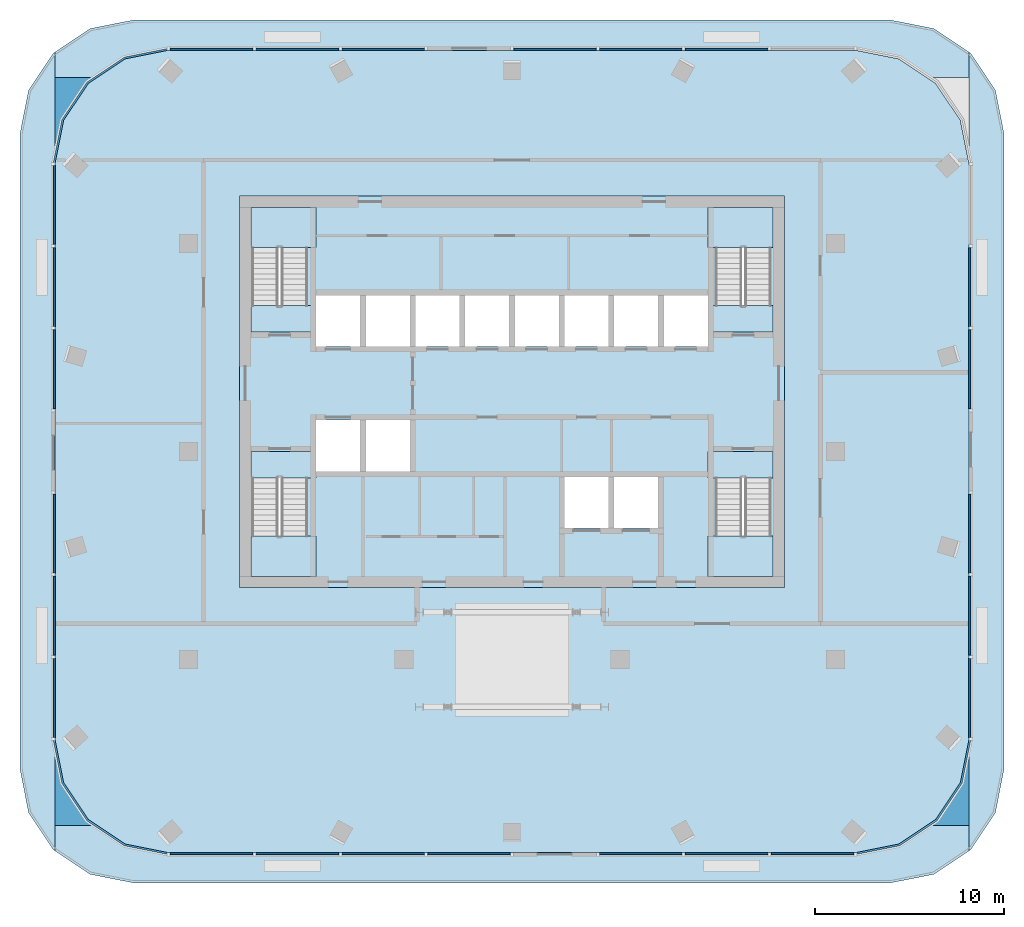
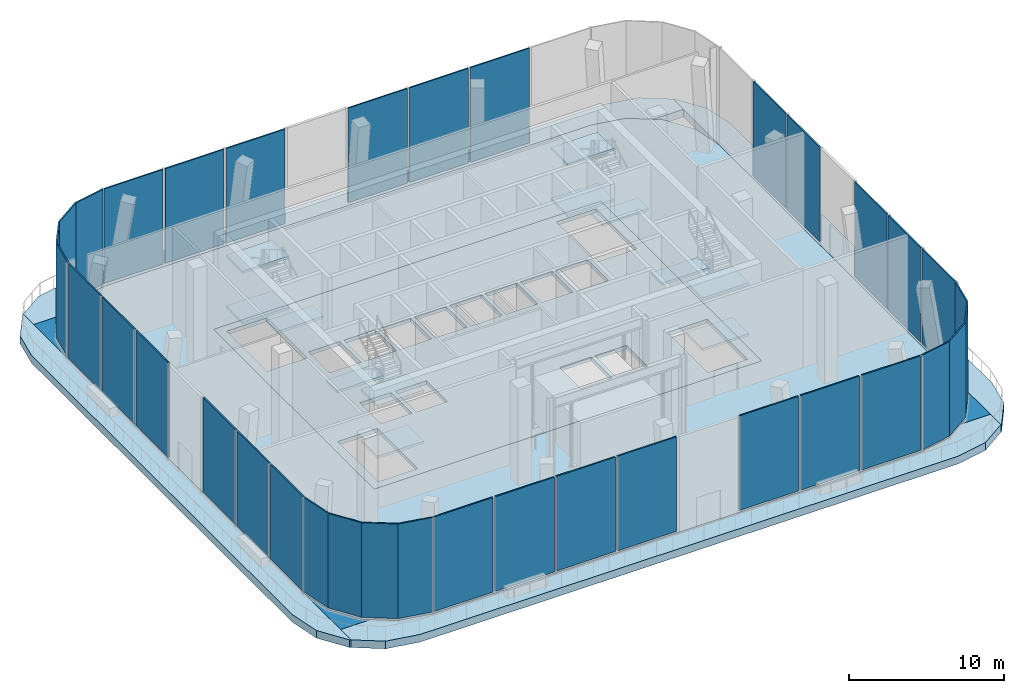
# One storey, part 5 of 13: 27 plates, 21 slabs, 15 elements without a shape of their own.
"""IFC4 building model written with IfcOpenShell, lengths in metres."""

from ifc_helpers import new_model, si_unit, direction, frame, origin, origin_2d, place, context, subcontext, project, spatial, polyline, rectangle, outline, extrude, material, layer, layer_set, type_object, element, aggregate, save


model = new_model("IFC4")

# Units and contexts
model_context = context("Model", 3, precision=1e-05, world=origin(), true_north=direction((0.0, 1.0)))
body_context = subcontext(model_context, "Body", "Model", "MODEL_VIEW")
ifc_project = project(units=[si_unit("LENGTHUNIT", "METRE"), si_unit("AREAUNIT", "SQUARE_METRE"), si_unit("VOLUMEUNIT", "CUBIC_METRE"), si_unit("PLANEANGLEUNIT", "RADIAN"), si_unit("MASSUNIT", "GRAM", prefix="KILO")], contexts=[model_context])

# Site, building, storey
site_placement = place(None, origin())
site = spatial("IfcSite", under=ifc_project, at=site_placement, CompositionType="ELEMENT")
building_placement = place(site_placement, origin())
building = spatial("IfcBuilding", under=site, at=building_placement, Name="Mopane Tessera Tower", CompositionType="ELEMENT")
storey_placement = place(building_placement, frame((0.0, 0.0, 337.39990234375)))
storey = spatial("IfcBuildingStorey", under=building, at=storey_placement, Name="L74", CompositionType="ELEMENT", Elevation=337.39990234375)

# Slab
ifc_material_1 = material(Name="Concrete C40/50", Category="concrete")
ifc_layer_1 = layer(ifc_material_1, 0.300048828125)
ifc_layer_set_1 = layer_set([ifc_layer_1], Name="Concrete C40/50")
slab_type_1 = type_object("IfcSlabType", Name="Core floor slab 300 mm", PredefinedType="FLOOR", material=ifc_layer_set_1)
slab_1_placement = place(storey_placement, frame((0.0, 0.0, -0.2998046875)))
element("IfcSlab", 1, at=slab_1_placement, inside=storey, type_object=slab_type_1, Name="L74 core floor slab", PredefinedType="FLOOR", context=body_context, shape_type="SweptSolid", body=[
    extrude(outline(polyline([(-14.39990234375, -7.199951171875), (14.39990234375, -7.199951171875), (14.39990234375, 13.5), (-14.39990234375, 13.5), (-14.39990234375, -7.199951171875)]), holes=[polyline([(-10.35009765625, -1.050048828125), (-8.02490234375, -1.050048828125), (-8.02490234375, 1.64990234375), (-10.35009765625, 1.64990234375), (-10.35009765625, -1.050048828125)]), polyline([(-7.72509765625, -1.050048828125), (-5.39990234375, -1.050048828125), (-5.39990234375, 1.64990234375), (-7.72509765625, 1.64990234375), (-7.72509765625, -1.050048828125)]), polyline([(-10.35009765625, 5.550048828125), (-8.02490234375, 5.550048828125), (-8.02490234375, 8.25), (-10.35009765625, 8.25), (-10.35009765625, 5.550048828125)]), polyline([(-7.72509765625, 5.550048828125), (-5.39990234375, 5.550048828125), (-5.39990234375, 8.25), (-7.72509765625, 8.25), (-7.72509765625, 5.550048828125)]), polyline([(-5.10009765625, 5.550048828125), (-2.77490234375, 5.550048828125), (-2.77490234375, 8.25), (-5.10009765625, 8.25), (-5.10009765625, 5.550048828125)]), polyline([(-2.47509765625, 5.550048828125), (-0.14990234375, 5.550048828125), (-0.14990234375, 8.25), (-2.47509765625, 8.25), (-2.47509765625, 5.550048828125)]), polyline([(0.14990234375, 5.550048828125), (2.47509765625, 5.550048828125), (2.47509765625, 8.25), (0.14990234375, 8.25), (0.14990234375, 5.550048828125)]), polyline([(2.77490234375, 5.550048828125), (5.10009765625, 5.550048828125), (5.10009765625, 8.25), (2.77490234375, 8.25), (2.77490234375, 5.550048828125)]), polyline([(5.39990234375, 5.550048828125), (7.72509765625, 5.550048828125), (7.72509765625, 8.25), (5.39990234375, 8.25), (5.39990234375, 5.550048828125)]), polyline([(8.02490234375, 5.550048828125), (10.35009765625, 5.550048828125), (10.35009765625, 8.25), (8.02490234375, 8.25), (8.02490234375, 5.550048828125)]), polyline([(2.77490234375, -4.050048828125), (5.10009765625, -4.050048828125), (5.10009765625, -1.35009765625), (2.77490234375, -1.35009765625), (2.77490234375, -4.050048828125)]), polyline([(5.39990234375, -4.050048828125), (7.72509765625, -4.050048828125), (7.72509765625, -1.35009765625), (5.39990234375, -1.35009765625), (5.39990234375, -4.050048828125)]), polyline([(-13.75, -1.405029296875), (-13.75, -6.60009765625), (-10.800048828125, -6.60009765625), (-10.800048828125, -1.405029296875), (-13.75, -1.405029296875)]), polyline([(-10.800048828125, 7.705078125), (-10.800048828125, 12.89990234375), (-13.75, 12.89990234375), (-13.75, 7.705078125), (-10.800048828125, 7.705078125)]), polyline([(10.75, -1.405029296875), (10.75, -6.60009765625), (13.699951171875, -6.60009765625), (13.699951171875, -1.405029296875), (10.75, -1.405029296875)]), polyline([(13.699951171875, 7.705078125), (13.699951171875, 12.89990234375), (10.75, 12.89990234375), (10.75, 7.705078125), (13.699951171875, 7.705078125)])]), origin(), (0.0, 0.0, 1.0), 0.2998046875),
])

# Stair, slabs
ifc_material_2 = material(Name="Concrete C50/60", Category="concrete")
stair_type = type_object("IfcStairType", Name="Escape stair 1400 mm, riser 167 mm", PredefinedType="HALF_TURN_STAIR", material=ifc_material_2)
stair_1_placement = place(storey_placement, origin())
stair_1 = element("IfcStair", 2, at=stair_1_placement, inside=storey, type_object=stair_type, Name="L74 Escape stair south-west", PredefinedType="HALF_TURN_STAIR")
ifc_material_3 = material(Name="Concrete C50/60", Category="concrete")
ifc_layer_2 = layer(ifc_material_3, 0.199951171875)
ifc_layer_set_2 = layer_set([ifc_layer_2], Name="Concrete C50/60")
slab_type_2 = type_object("IfcSlabType", Name="Escape stair landing 200 mm", PredefinedType="LANDING", material=ifc_layer_set_2)
slab_2_placement = place(storey_placement, frame((0.0, 0.0, 1.800048828125)))
slab_2 = element("IfcSlab", 3, at=slab_2_placement, type_object=slab_type_2, Name="ST1 landing 1", PredefinedType="LANDING", context=body_context, shape_type="SweptSolid", body=[
    extrude(outline(polyline([(-13.800048828125, -4.47998046875), (-13.800048828125, -6.60009765625), (-10.35009765625, -6.60009765625), (-10.35009765625, -4.47998046875), (-13.800048828125, -4.47998046875)])), origin(), (0.0, 0.0, 1.0), 0.199951171875),
])
slab_3_placement = place(storey_placement, frame((0.0, 0.0, 3.800048828125)))
slab_3 = element("IfcSlab", 4, at=slab_3_placement, type_object=slab_type_2, Name="ST1 landing 2", PredefinedType="LANDING", context=body_context, shape_type="SweptSolid", body=[
    extrude(outline(polyline([(-13.800048828125, 0.0), (-13.800048828125, -1.39990234375), (-10.35009765625, -1.39990234375), (-10.35009765625, 0.0), (-13.800048828125, 0.0)])), origin(), (0.0, 0.0, 1.0), 0.199951171875),
])
slab_4_placement = place(storey_placement, frame((0.0, 0.0, 5.800048828125)))
slab_4 = element("IfcSlab", 5, at=slab_4_placement, type_object=slab_type_2, Name="ST1 landing 3", PredefinedType="LANDING", context=body_context, shape_type="SweptSolid", body=[
    extrude(outline(polyline([(-13.800048828125, -4.47998046875), (-13.800048828125, -6.60009765625), (-10.35009765625, -6.60009765625), (-10.35009765625, -4.47998046875), (-13.800048828125, -4.47998046875)])), origin(), (0.0, 0.0, 1.0), 0.199951171875),
])
aggregate(stair_1, [slab_2, slab_3, slab_4])

stair_2_placement = place(storey_placement, origin())
stair_2 = element("IfcStair", 6, at=stair_2_placement, inside=storey, type_object=stair_type, Name="L74 Escape stair north-west", PredefinedType="HALF_TURN_STAIR")
slab_5_placement = place(storey_placement, frame((0.0, 0.0, 1.800048828125)))
slab_5 = element("IfcSlab", 7, at=slab_5_placement, type_object=slab_type_2, Name="ST2 landing 1", PredefinedType="LANDING", context=body_context, shape_type="SweptSolid", body=[
    extrude(outline(polyline([(-10.35009765625, 10.780029296875), (-10.35009765625, 12.89990234375), (-13.800048828125, 12.89990234375), (-13.800048828125, 10.780029296875), (-10.35009765625, 10.780029296875)])), origin(), (0.0, 0.0, 1.0), 0.199951171875),
])
slab_6_placement = place(storey_placement, frame((0.0, 0.0, 3.800048828125)))
slab_6 = element("IfcSlab", 8, at=slab_6_placement, type_object=slab_type_2, Name="ST2 landing 2", PredefinedType="LANDING", context=body_context, shape_type="SweptSolid", body=[
    extrude(outline(polyline([(-10.35009765625, 6.300048828125), (-10.35009765625, 7.699951171875), (-13.800048828125, 7.699951171875), (-13.800048828125, 6.300048828125), (-10.35009765625, 6.300048828125)])), origin(), (0.0, 0.0, 1.0), 0.199951171875),
])
slab_7_placement = place(storey_placement, frame((0.0, 0.0, 5.800048828125)))
slab_7 = element("IfcSlab", 9, at=slab_7_placement, type_object=slab_type_2, Name="ST2 landing 3", PredefinedType="LANDING", context=body_context, shape_type="SweptSolid", body=[
    extrude(outline(polyline([(-10.35009765625, 10.780029296875), (-10.35009765625, 12.89990234375), (-13.800048828125, 12.89990234375), (-13.800048828125, 10.780029296875), (-10.35009765625, 10.780029296875)])), origin(), (0.0, 0.0, 1.0), 0.199951171875),
])
aggregate(stair_2, [slab_5, slab_6, slab_7])

stair_3_placement = place(storey_placement, origin())
stair_3 = element("IfcStair", 10, at=stair_3_placement, inside=storey, type_object=stair_type, Name="L74 Escape stair south-east", PredefinedType="HALF_TURN_STAIR")
slab_8_placement = place(storey_placement, frame((0.0, 0.0, 1.800048828125)))
slab_8 = element("IfcSlab", 11, at=slab_8_placement, type_object=slab_type_2, Name="ST3 landing 1", PredefinedType="LANDING", context=body_context, shape_type="SweptSolid", body=[
    extrude(outline(polyline([(10.35009765625, -4.47998046875), (10.35009765625, -6.60009765625), (13.800048828125, -6.60009765625), (13.800048828125, -4.47998046875), (10.35009765625, -4.47998046875)])), origin(), (0.0, 0.0, 1.0), 0.199951171875),
])
slab_9_placement = place(storey_placement, frame((0.0, 0.0, 3.800048828125)))
slab_9 = element("IfcSlab", 12, at=slab_9_placement, type_object=slab_type_2, Name="ST3 landing 2", PredefinedType="LANDING", context=body_context, shape_type="SweptSolid", body=[
    extrude(outline(polyline([(10.35009765625, 0.0), (10.35009765625, -1.39990234375), (13.800048828125, -1.39990234375), (13.800048828125, 0.0), (10.35009765625, 0.0)])), origin(), (0.0, 0.0, 1.0), 0.199951171875),
])
slab_10_placement = place(storey_placement, frame((0.0, 0.0, 5.800048828125)))
slab_10 = element("IfcSlab", 13, at=slab_10_placement, type_object=slab_type_2, Name="ST3 landing 3", PredefinedType="LANDING", context=body_context, shape_type="SweptSolid", body=[
    extrude(outline(polyline([(10.35009765625, -4.47998046875), (10.35009765625, -6.60009765625), (13.800048828125, -6.60009765625), (13.800048828125, -4.47998046875), (10.35009765625, -4.47998046875)])), origin(), (0.0, 0.0, 1.0), 0.199951171875),
])
aggregate(stair_3, [slab_8, slab_9, slab_10])

stair_4_placement = place(storey_placement, origin())
stair_4 = element("IfcStair", 14, at=stair_4_placement, inside=storey, type_object=stair_type, Name="L74 Escape stair north-east", PredefinedType="HALF_TURN_STAIR")
slab_11_placement = place(storey_placement, frame((0.0, 0.0, 1.800048828125)))
slab_11 = element("IfcSlab", 15, at=slab_11_placement, type_object=slab_type_2, Name="ST4 landing 1", PredefinedType="LANDING", context=body_context, shape_type="SweptSolid", body=[
    extrude(outline(polyline([(13.800048828125, 10.780029296875), (13.800048828125, 12.89990234375), (10.35009765625, 12.89990234375), (10.35009765625, 10.780029296875), (13.800048828125, 10.780029296875)])), origin(), (0.0, 0.0, 1.0), 0.199951171875),
])
slab_12_placement = place(storey_placement, frame((0.0, 0.0, 3.800048828125)))
slab_12 = element("IfcSlab", 16, at=slab_12_placement, type_object=slab_type_2, Name="ST4 landing 2", PredefinedType="LANDING", context=body_context, shape_type="SweptSolid", body=[
    extrude(outline(polyline([(13.800048828125, 6.300048828125), (13.800048828125, 7.699951171875), (10.35009765625, 7.699951171875), (10.35009765625, 6.300048828125), (13.800048828125, 6.300048828125)])), origin(), (0.0, 0.0, 1.0), 0.199951171875),
])
slab_13_placement = place(storey_placement, frame((0.0, 0.0, 5.800048828125)))
slab_13 = element("IfcSlab", 17, at=slab_13_placement, type_object=slab_type_2, Name="ST4 landing 3", PredefinedType="LANDING", context=body_context, shape_type="SweptSolid", body=[
    extrude(outline(polyline([(13.800048828125, 10.780029296875), (13.800048828125, 12.89990234375), (10.35009765625, 12.89990234375), (10.35009765625, 10.780029296875), (13.800048828125, 10.780029296875)])), origin(), (0.0, 0.0, 1.0), 0.199951171875),
])
aggregate(stair_4, [slab_11, slab_12, slab_13])

# Curtain wall, plates
ifc_material_4 = material(Name="Aluminium frame", Category="aluminium")
curtain_wall_type = type_object("IfcCurtainWallType", Name="Damper floor unitised wall", PredefinedType="NOTDEFINED", material=ifc_material_4)
curtain_wall_1_placement = place(storey_placement, origin())
curtain_wall_1 = element("IfcCurtainWall", 18, at=curtain_wall_1_placement, inside=storey, type_object=curtain_wall_type, Name="e:cw:L74:S:0", PredefinedType="NOTDEFINED")
ifc_material_5 = material(Name="Illuminated laminated glass", Category="glass")
ifc_layer_3 = layer(ifc_material_5, 0.10009765625)
ifc_layer_set_3 = layer_set([ifc_layer_3], Name="Illuminated laminated glass")
plate_type = type_object("IfcPlateType", Name="Laminated glazed unit 100", PredefinedType="CURTAIN_PANEL", material=ifc_layer_set_3)
plate_1_placement = place(storey_placement, frame((-15.88134765625, -21.25, 0.22021484375), z_axis=(0.0, 0.0, 1.0), x_axis=(1.0, 0.0, 0.0)))
plate_1 = element("IfcPlate", 19, at=plate_1_placement, type_object=plate_type, Name="e:cw:L74:S:0:pn0", PredefinedType="CURTAIN_PANEL", context=body_context, shape_type="SweptSolid", body=[
    extrude(rectangle(XDim=4.37744140625, YDim=0.10009765625, at=origin_2d()), origin(), (0.0, 0.0, 1.0), 7.429931640625),
])
plate_2_placement = place(storey_placement, frame((-11.34375, -21.25, 0.22021484375), z_axis=(0.0, 0.0, 1.0), x_axis=(1.0, 0.0, 0.0)))
plate_2 = element("IfcPlate", 20, at=plate_2_placement, type_object=plate_type, Name="e:cw:L74:S:0:pn1", PredefinedType="CURTAIN_PANEL", context=body_context, shape_type="SweptSolid", body=[
    extrude(rectangle(XDim=4.37744140625, YDim=0.10009765625, at=origin_2d()), origin(), (0.0, 0.0, 1.0), 7.429931640625),
])
plate_3_placement = place(storey_placement, frame((-6.80615234375, -21.25, 0.22021484375), z_axis=(0.0, 0.0, 1.0), x_axis=(1.0, 0.0, 0.0)))
plate_3 = element("IfcPlate", 21, at=plate_3_placement, type_object=plate_type, Name="e:cw:L74:S:0:pn2", PredefinedType="CURTAIN_PANEL", context=body_context, shape_type="SweptSolid", body=[
    extrude(rectangle(XDim=4.37744140625, YDim=0.10009765625, at=origin_2d()), origin(), (0.0, 0.0, 1.0), 7.429931640625),
])
plate_4_placement = place(storey_placement, frame((-2.268798828125, -21.25, 0.22021484375), z_axis=(0.0, 0.0, 1.0), x_axis=(1.0, 0.0, 0.0)))
plate_4 = element("IfcPlate", 22, at=plate_4_placement, type_object=plate_type, Name="e:cw:L74:S:0:pn3", PredefinedType="CURTAIN_PANEL", context=body_context, shape_type="SweptSolid", body=[
    extrude(rectangle(XDim=4.37744140625, YDim=0.10009765625, at=origin_2d()), origin(), (0.0, 0.0, 1.0), 7.429931640625),
])
aggregate(curtain_wall_1, [plate_1, plate_2, plate_3, plate_4])

curtain_wall_2_placement = place(storey_placement, origin())
curtain_wall_2 = element("IfcCurtainWall", 23, at=curtain_wall_2_placement, inside=storey, type_object=curtain_wall_type, Name="e:cw:L74:S:5", PredefinedType="NOTDEFINED")
plate_5_placement = place(storey_placement, frame((6.80615234375, -21.25, 0.22021484375), z_axis=(0.0, 0.0, 1.0), x_axis=(1.0, 0.0, 0.0)))
plate_5 = element("IfcPlate", 24, at=plate_5_placement, type_object=plate_type, Name="e:cw:L74:S:5:pn5", PredefinedType="CURTAIN_PANEL", context=body_context, shape_type="SweptSolid", body=[
    extrude(rectangle(XDim=4.37744140625, YDim=0.10009765625, at=origin_2d()), origin(), (0.0, 0.0, 1.0), 7.429931640625),
])
plate_6_placement = place(storey_placement, frame((11.34375, -21.25, 0.22021484375), z_axis=(0.0, 0.0, 1.0), x_axis=(1.0, 0.0, 0.0)))
plate_6 = element("IfcPlate", 25, at=plate_6_placement, type_object=plate_type, Name="e:cw:L74:S:5:pn6", PredefinedType="CURTAIN_PANEL", context=body_context, shape_type="SweptSolid", body=[
    extrude(rectangle(XDim=4.37744140625, YDim=0.10009765625, at=origin_2d()), origin(), (0.0, 0.0, 1.0), 7.429931640625),
])
plate_7_placement = place(storey_placement, frame((15.88134765625, -21.25, 0.22021484375), z_axis=(0.0, 0.0, 1.0), x_axis=(1.0, 0.0, 0.0)))
plate_7 = element("IfcPlate", 26, at=plate_7_placement, type_object=plate_type, Name="e:cw:L74:S:5:pn7", PredefinedType="CURTAIN_PANEL", context=body_context, shape_type="SweptSolid", body=[
    extrude(rectangle(XDim=4.37744140625, YDim=0.10009765625, at=origin_2d()), origin(), (0.0, 0.0, 1.0), 7.429931640625),
])
aggregate(curtain_wall_2, [plate_5, plate_6, plate_7])

# Curtain wall, plate
curtain_wall_3_placement = place(storey_placement, origin())
curtain_wall_3 = element("IfcCurtainWall", 27, at=curtain_wall_3_placement, inside=storey, type_object=curtain_wall_type, Name="e:cw:L74:CS", PredefinedType="NOTDEFINED")
plate_8_placement = place(storey_placement, frame((0.0, 0.0, 0.22021484375)))
plate_8 = element("IfcPlate", 28, at=plate_8_placement, type_object=plate_type, Name="e:cw:L74:CS:pn", PredefinedType="CURTAIN_PANEL", context=body_context, shape_type="SweptSolid", body=[
    extrude(outline(polyline([(18.14990234375, -21.199951171875), (20.446044921875, -20.7431640625), (22.392578125, -19.442626953125), (23.693359375, -17.49609375), (24.14990234375, -15.199951171875), (24.25, -15.199951171875), (23.78564453125, -17.534423828125), (22.46337890625, -19.513427734375), (20.484375, -20.835693359375), (18.14990234375, -21.300048828125), (18.14990234375, -21.199951171875)])), origin(), (0.0, 0.0, 1.0), 7.429931640625),
])
aggregate(curtain_wall_3, [plate_8])

# Curtain wall, plates
curtain_wall_4_placement = place(storey_placement, origin())
curtain_wall_4 = element("IfcCurtainWall", 29, at=curtain_wall_4_placement, inside=storey, type_object=curtain_wall_type, Name="e:cw:L74:E:0", PredefinedType="NOTDEFINED")
plate_9_placement = place(storey_placement, frame((24.199951171875, -13.028564453125, 0.22021484375), z_axis=(0.0, 0.0, 1.0), x_axis=(0.0, 1.0, 0.0)))
plate_9 = element("IfcPlate", 30, at=plate_9_placement, type_object=plate_type, Name="e:cw:L74:E:0:pn0", PredefinedType="CURTAIN_PANEL", context=body_context, shape_type="SweptSolid", body=[
    extrude(rectangle(XDim=4.182861328125, YDim=0.10009765625, at=origin_2d()), origin(), (0.0, 0.0, 1.0), 7.429931640625),
])
plate_10_placement = place(storey_placement, frame((24.199951171875, -8.685791015625, 0.22021484375), z_axis=(0.0, 0.0, 1.0), x_axis=(0.0, 1.0, 0.0)))
plate_10 = element("IfcPlate", 31, at=plate_10_placement, type_object=plate_type, Name="e:cw:L74:E:0:pn1", PredefinedType="CURTAIN_PANEL", context=body_context, shape_type="SweptSolid", body=[
    extrude(rectangle(XDim=4.182861328125, YDim=0.10009765625, at=origin_2d()), origin(), (0.0, 0.0, 1.0), 7.429931640625),
])
plate_11_placement = place(storey_placement, frame((24.199951171875, -4.3427734375, 0.22021484375), z_axis=(0.0, 0.0, 1.0), x_axis=(0.0, 1.0, 0.0)))
plate_11 = element("IfcPlate", 32, at=plate_11_placement, type_object=plate_type, Name="e:cw:L74:E:0:pn2", PredefinedType="CURTAIN_PANEL", context=body_context, shape_type="SweptSolid", body=[
    extrude(rectangle(XDim=4.182861328125, YDim=0.10009765625, at=origin_2d()), origin(), (0.0, 0.0, 1.0), 7.429931640625),
])
aggregate(curtain_wall_4, [plate_9, plate_10, plate_11])

curtain_wall_5_placement = place(storey_placement, origin())
curtain_wall_5 = element("IfcCurtainWall", 33, at=curtain_wall_5_placement, inside=storey, type_object=curtain_wall_type, Name="e:cw:L74:E:4", PredefinedType="NOTDEFINED")
plate_12_placement = place(storey_placement, frame((24.199951171875, 4.3427734375, 0.22021484375), z_axis=(0.0, 0.0, 1.0), x_axis=(0.0, 1.0, 0.0)))
plate_12 = element("IfcPlate", 34, at=plate_12_placement, type_object=plate_type, Name="e:cw:L74:E:4:pn4", PredefinedType="CURTAIN_PANEL", context=body_context, shape_type="SweptSolid", body=[
    extrude(rectangle(XDim=4.182861328125, YDim=0.10009765625, at=origin_2d()), origin(), (0.0, 0.0, 1.0), 7.429931640625),
])
plate_13_placement = place(storey_placement, frame((24.199951171875, 8.685791015625, 0.22021484375), z_axis=(0.0, 0.0, 1.0), x_axis=(0.0, 1.0, 0.0)))
plate_13 = element("IfcPlate", 35, at=plate_13_placement, type_object=plate_type, Name="e:cw:L74:E:4:pn5", PredefinedType="CURTAIN_PANEL", context=body_context, shape_type="SweptSolid", body=[
    extrude(rectangle(XDim=4.182861328125, YDim=0.10009765625, at=origin_2d()), origin(), (0.0, 0.0, 1.0), 7.429931640625),
])
aggregate(curtain_wall_5, [plate_12, plate_13])

curtain_wall_6_placement = place(storey_placement, origin())
curtain_wall_6 = element("IfcCurtainWall", 36, at=curtain_wall_6_placement, inside=storey, type_object=curtain_wall_type, Name="e:cw:L74:N:0", PredefinedType="NOTDEFINED")
plate_14_placement = place(storey_placement, frame((11.34375, 21.25, 0.22021484375), z_axis=(0.0, 0.0, 1.0), x_axis=(-1.0, 0.0, 0.0)))
plate_14 = element("IfcPlate", 37, at=plate_14_placement, type_object=plate_type, Name="e:cw:L74:N:0:pn1", PredefinedType="CURTAIN_PANEL", context=body_context, shape_type="SweptSolid", body=[
    extrude(rectangle(XDim=4.37744140625, YDim=0.10009765625, at=origin_2d()), origin(), (0.0, 0.0, 1.0), 7.429931640625),
])
plate_15_placement = place(storey_placement, frame((6.80615234375, 21.25, 0.22021484375), z_axis=(0.0, 0.0, 1.0), x_axis=(-1.0, 0.0, 0.0)))
plate_15 = element("IfcPlate", 38, at=plate_15_placement, type_object=plate_type, Name="e:cw:L74:N:0:pn2", PredefinedType="CURTAIN_PANEL", context=body_context, shape_type="SweptSolid", body=[
    extrude(rectangle(XDim=4.37744140625, YDim=0.10009765625, at=origin_2d()), origin(), (0.0, 0.0, 1.0), 7.429931640625),
])
plate_16_placement = place(storey_placement, frame((2.268798828125, 21.25, 0.22021484375), z_axis=(0.0, 0.0, 1.0), x_axis=(-1.0, 0.0, 0.0)))
plate_16 = element("IfcPlate", 39, at=plate_16_placement, type_object=plate_type, Name="e:cw:L74:N:0:pn3", PredefinedType="CURTAIN_PANEL", context=body_context, shape_type="SweptSolid", body=[
    extrude(rectangle(XDim=4.37744140625, YDim=0.10009765625, at=origin_2d()), origin(), (0.0, 0.0, 1.0), 7.429931640625),
])
aggregate(curtain_wall_6, [plate_14, plate_15, plate_16])

curtain_wall_7_placement = place(storey_placement, origin())
curtain_wall_7 = element("IfcCurtainWall", 40, at=curtain_wall_7_placement, inside=storey, type_object=curtain_wall_type, Name="e:cw:L74:N:5", PredefinedType="NOTDEFINED")
plate_17_placement = place(storey_placement, frame((-6.80615234375, 21.25, 0.22021484375), z_axis=(0.0, 0.0, 1.0), x_axis=(-1.0, 0.0, 0.0)))
plate_17 = element("IfcPlate", 41, at=plate_17_placement, type_object=plate_type, Name="e:cw:L74:N:5:pn5", PredefinedType="CURTAIN_PANEL", context=body_context, shape_type="SweptSolid", body=[
    extrude(rectangle(XDim=4.37744140625, YDim=0.10009765625, at=origin_2d()), origin(), (0.0, 0.0, 1.0), 7.429931640625),
])
plate_18_placement = place(storey_placement, frame((-11.34375, 21.25, 0.22021484375), z_axis=(0.0, 0.0, 1.0), x_axis=(-1.0, 0.0, 0.0)))
plate_18 = element("IfcPlate", 42, at=plate_18_placement, type_object=plate_type, Name="e:cw:L74:N:5:pn6", PredefinedType="CURTAIN_PANEL", context=body_context, shape_type="SweptSolid", body=[
    extrude(rectangle(XDim=4.37744140625, YDim=0.10009765625, at=origin_2d()), origin(), (0.0, 0.0, 1.0), 7.429931640625),
])
plate_19_placement = place(storey_placement, frame((-15.88134765625, 21.25, 0.22021484375), z_axis=(0.0, 0.0, 1.0), x_axis=(-1.0, 0.0, 0.0)))
plate_19 = element("IfcPlate", 43, at=plate_19_placement, type_object=plate_type, Name="e:cw:L74:N:5:pn7", PredefinedType="CURTAIN_PANEL", context=body_context, shape_type="SweptSolid", body=[
    extrude(rectangle(XDim=4.37744140625, YDim=0.10009765625, at=origin_2d()), origin(), (0.0, 0.0, 1.0), 7.429931640625),
])
aggregate(curtain_wall_7, [plate_17, plate_18, plate_19])

# Curtain wall, plate
curtain_wall_8_placement = place(storey_placement, origin())
curtain_wall_8 = element("IfcCurtainWall", 44, at=curtain_wall_8_placement, inside=storey, type_object=curtain_wall_type, Name="e:cw:L74:CN", PredefinedType="NOTDEFINED")
plate_20_placement = place(storey_placement, frame((0.0, 0.0, 0.22021484375)))
plate_20 = element("IfcPlate", 45, at=plate_20_placement, type_object=plate_type, Name="e:cw:L74:CN:pn", PredefinedType="CURTAIN_PANEL", context=body_context, shape_type="SweptSolid", body=[
    extrude(outline(polyline([(-18.14990234375, 21.199951171875), (-20.446044921875, 20.7431640625), (-22.392578125, 19.442626953125), (-23.693359375, 17.49609375), (-24.14990234375, 15.199951171875), (-24.25, 15.199951171875), (-23.78564453125, 17.534423828125), (-22.46337890625, 19.513427734375), (-20.484375, 20.835693359375), (-18.14990234375, 21.300048828125), (-18.14990234375, 21.199951171875)])), origin(), (0.0, 0.0, 1.0), 7.429931640625),
])
aggregate(curtain_wall_8, [plate_20])

# Curtain wall, plates
curtain_wall_9_placement = place(storey_placement, origin())
curtain_wall_9 = element("IfcCurtainWall", 46, at=curtain_wall_9_placement, inside=storey, type_object=curtain_wall_type, Name="e:cw:L74:W:0", PredefinedType="NOTDEFINED")
plate_21_placement = place(storey_placement, frame((-24.199951171875, 13.028564453125, 0.22021484375), z_axis=(0.0, 0.0, 1.0), x_axis=(0.0, -1.0, 0.0)))
plate_21 = element("IfcPlate", 47, at=plate_21_placement, type_object=plate_type, Name="e:cw:L74:W:0:pn0", PredefinedType="CURTAIN_PANEL", context=body_context, shape_type="SweptSolid", body=[
    extrude(rectangle(XDim=4.182861328125, YDim=0.10009765625, at=origin_2d()), origin(), (0.0, 0.0, 1.0), 7.429931640625),
])
plate_22_placement = place(storey_placement, frame((-24.199951171875, 8.685791015625, 0.22021484375), z_axis=(0.0, 0.0, 1.0), x_axis=(0.0, -1.0, 0.0)))
plate_22 = element("IfcPlate", 48, at=plate_22_placement, type_object=plate_type, Name="e:cw:L74:W:0:pn1", PredefinedType="CURTAIN_PANEL", context=body_context, shape_type="SweptSolid", body=[
    extrude(rectangle(XDim=4.182861328125, YDim=0.10009765625, at=origin_2d()), origin(), (0.0, 0.0, 1.0), 7.429931640625),
])
plate_23_placement = place(storey_placement, frame((-24.199951171875, 4.3427734375, 0.22021484375), z_axis=(0.0, 0.0, 1.0), x_axis=(0.0, -1.0, 0.0)))
plate_23 = element("IfcPlate", 49, at=plate_23_placement, type_object=plate_type, Name="e:cw:L74:W:0:pn2", PredefinedType="CURTAIN_PANEL", context=body_context, shape_type="SweptSolid", body=[
    extrude(rectangle(XDim=4.182861328125, YDim=0.10009765625, at=origin_2d()), origin(), (0.0, 0.0, 1.0), 7.429931640625),
])
aggregate(curtain_wall_9, [plate_21, plate_22, plate_23])

curtain_wall_10_placement = place(storey_placement, origin())
curtain_wall_10 = element("IfcCurtainWall", 50, at=curtain_wall_10_placement, inside=storey, type_object=curtain_wall_type, Name="e:cw:L74:W:4", PredefinedType="NOTDEFINED")
plate_24_placement = place(storey_placement, frame((-24.199951171875, -4.3427734375, 0.22021484375), z_axis=(0.0, 0.0, 1.0), x_axis=(0.0, -1.0, 0.0)))
plate_24 = element("IfcPlate", 51, at=plate_24_placement, type_object=plate_type, Name="e:cw:L74:W:4:pn4", PredefinedType="CURTAIN_PANEL", context=body_context, shape_type="SweptSolid", body=[
    extrude(rectangle(XDim=4.182861328125, YDim=0.10009765625, at=origin_2d()), origin(), (0.0, 0.0, 1.0), 7.429931640625),
])
plate_25_placement = place(storey_placement, frame((-24.199951171875, -8.685791015625, 0.22021484375), z_axis=(0.0, 0.0, 1.0), x_axis=(0.0, -1.0, 0.0)))
plate_25 = element("IfcPlate", 52, at=plate_25_placement, type_object=plate_type, Name="e:cw:L74:W:4:pn5", PredefinedType="CURTAIN_PANEL", context=body_context, shape_type="SweptSolid", body=[
    extrude(rectangle(XDim=4.182861328125, YDim=0.10009765625, at=origin_2d()), origin(), (0.0, 0.0, 1.0), 7.429931640625),
])
plate_26_placement = place(storey_placement, frame((-24.199951171875, -13.028564453125, 0.22021484375), z_axis=(0.0, 0.0, 1.0), x_axis=(0.0, -1.0, 0.0)))
plate_26 = element("IfcPlate", 53, at=plate_26_placement, type_object=plate_type, Name="e:cw:L74:W:4:pn6", PredefinedType="CURTAIN_PANEL", context=body_context, shape_type="SweptSolid", body=[
    extrude(rectangle(XDim=4.182861328125, YDim=0.10009765625, at=origin_2d()), origin(), (0.0, 0.0, 1.0), 7.429931640625),
])
aggregate(curtain_wall_10, [plate_24, plate_25, plate_26])

# Curtain wall, plate
curtain_wall_11_placement = place(storey_placement, origin())
curtain_wall_11 = element("IfcCurtainWall", 54, at=curtain_wall_11_placement, inside=storey, type_object=curtain_wall_type, Name="e:cw:L74:CW", PredefinedType="NOTDEFINED")
plate_27_placement = place(storey_placement, frame((0.0, 0.0, 0.22021484375)))
plate_27 = element("IfcPlate", 55, at=plate_27_placement, type_object=plate_type, Name="e:cw:L74:CW:pn", PredefinedType="CURTAIN_PANEL", context=body_context, shape_type="SweptSolid", body=[
    extrude(outline(polyline([(-24.14990234375, -15.199951171875), (-23.693359375, -17.49609375), (-22.392578125, -19.442626953125), (-20.446044921875, -20.7431640625), (-18.14990234375, -21.199951171875), (-18.14990234375, -21.300048828125), (-20.484375, -20.835693359375), (-22.46337890625, -19.513427734375), (-23.78564453125, -17.534423828125), (-24.25, -15.199951171875), (-24.14990234375, -15.199951171875)])), origin(), (0.0, 0.0, 1.0), 7.429931640625),
])
aggregate(curtain_wall_11, [plate_27])

# Slabs
ifc_material_6 = material(Name="Concrete C40/50", Category="concrete")
ifc_layer_4 = layer(ifc_material_6, 0.60009765625)
ifc_layer_set_4 = layer_set([ifc_layer_4], Name="Concrete C40/50")
slab_type_3 = type_object("IfcSlabType", Name="Post-tensioned flat plate 600 mm", PredefinedType="FLOOR", material=ifc_layer_set_4)
slab_14_placement = place(storey_placement, frame((0.0, 0.0, -0.599853515625)))
element("IfcSlab", 56, at=slab_14_placement, inside=storey, type_object=slab_type_3, Name="Floor slab L74", PredefinedType="FLOOR", context=body_context, shape_type="SweptSolid", body=[
    extrude(outline(polyline([(-18.14990234375, -21.199951171875), (18.14990234375, -21.199951171875), (20.446044921875, -20.7431640625), (22.392578125, -19.442626953125), (23.693359375, -17.49609375), (24.14990234375, -15.199951171875), (24.14990234375, 15.199951171875), (23.693359375, 17.49609375), (22.392578125, 19.442626953125), (20.446044921875, 20.7431640625), (18.14990234375, 21.199951171875), (-18.14990234375, 21.199951171875), (-20.446044921875, 20.7431640625), (-22.392578125, 19.442626953125), (-23.693359375, 17.49609375), (-24.14990234375, 15.199951171875), (-24.14990234375, -15.199951171875), (-23.693359375, -17.49609375), (-22.392578125, -19.442626953125), (-20.446044921875, -20.7431640625), (-18.14990234375, -21.199951171875)]), holes=[polyline([(14.39990234375, -7.199951171875), (-14.39990234375, -7.199951171875), (-14.39990234375, 13.5), (14.39990234375, 13.5), (14.39990234375, -7.199951171875)])]), origin(), (0.0, 0.0, 1.0), 0.599853515625),
])
ifc_material_7 = material(Name="Concrete C40/50", Category="concrete")
ifc_layer_5 = layer(ifc_material_7, 0.60009765625)
ifc_layer_set_5 = layer_set([ifc_layer_5], Name="Concrete C40/50")
slab_type_4 = type_object("IfcSlabType", Name="Setback roof terrace slab 600 mm", PredefinedType="ROOF", material=ifc_layer_set_5)
slab_15_placement = place(storey_placement, frame((0.0, 0.0, -0.599853515625)))
element("IfcSlab", 57, at=slab_15_placement, inside=storey, type_object=slab_type_4, Name="Setback terrace slab L74", PredefinedType="ROOF", context=body_context, shape_type="SweptSolid", body=[
    extrude(outline(polyline([(-24.14990234375, -21.1044921875), (-24.14990234375, -15.199951171875), (-24.14990234375, 15.199951171875), (-24.14990234375, 21.1044921875), (-24.24267578125, 21.042724609375), (-25.543212890625, 19.09619140625), (-26.0, 16.800048828125), (-26.0, -16.800048828125), (-25.543212890625, -19.09619140625), (-24.24267578125, -21.042724609375), (-24.14990234375, -21.1044921875)])), origin(), (0.0, 0.0, 1.0), 0.599853515625),
])
slab_16_placement = place(storey_placement, frame((0.0, 0.0, -0.599853515625)))
element("IfcSlab", 58, at=slab_16_placement, inside=storey, type_object=slab_type_4, Name="Setback terrace slab L74", PredefinedType="ROOF", context=body_context, shape_type="SweptSolid", body=[
    extrude(outline(polyline([(-24.14990234375, -15.199951171875), (-24.14990234375, -19.760009765625), (-21.917724609375, -19.760009765625), (-22.392578125, -19.442626953125), (-23.693359375, -17.49609375), (-24.14990234375, -15.199951171875)])), origin(), (0.0, 0.0, 1.0), 0.599853515625),
])
slab_17_placement = place(storey_placement, frame((0.0, 0.0, -0.599853515625)))
element("IfcSlab", 59, at=slab_17_placement, inside=storey, type_object=slab_type_4, Name="Setback terrace slab L74", PredefinedType="ROOF", context=body_context, shape_type="SweptSolid", body=[
    extrude(outline(polyline([(-21.917724609375, 19.760009765625), (-24.14990234375, 19.760009765625), (-24.14990234375, 15.199951171875), (-23.693359375, 17.49609375), (-22.392578125, 19.442626953125), (-21.917724609375, 19.760009765625)])), origin(), (0.0, 0.0, 1.0), 0.599853515625),
])
slab_18_placement = place(storey_placement, frame((0.0, 0.0, -0.599853515625)))
element("IfcSlab", 60, at=slab_18_placement, inside=storey, type_object=slab_type_4, Name="Setback terrace slab L74", PredefinedType="ROOF", context=body_context, shape_type="SweptSolid", body=[
    extrude(outline(polyline([(-18.14990234375, -21.199951171875), (-20.446044921875, -20.7431640625), (-21.917724609375, -19.760009765625), (-24.14990234375, -19.760009765625), (-24.14990234375, -21.1044921875), (-24.007080078125, -21.199951171875), (-22.296142578125, -22.34326171875), (-20.0, -22.800048828125), (20.0, -22.800048828125), (22.296142578125, -22.34326171875), (24.007080078125, -21.199951171875), (24.14990234375, -21.1044921875), (24.14990234375, -19.760009765625), (21.917724609375, -19.760009765625), (20.446044921875, -20.7431640625), (18.14990234375, -21.199951171875), (-18.14990234375, -21.199951171875)])), origin(), (0.0, 0.0, 1.0), 0.599853515625),
])
slab_19_placement = place(storey_placement, frame((0.0, 0.0, -0.599853515625)))
element("IfcSlab", 61, at=slab_19_placement, inside=storey, type_object=slab_type_4, Name="Setback terrace slab L74", PredefinedType="ROOF", context=body_context, shape_type="SweptSolid", body=[
    extrude(outline(polyline([(18.14990234375, 21.199951171875), (20.446044921875, 20.7431640625), (21.917724609375, 19.760009765625), (24.14990234375, 19.760009765625), (24.14990234375, 21.1044921875), (24.007080078125, 21.199951171875), (22.296142578125, 22.34326171875), (20.0, 22.800048828125), (-20.0, 22.800048828125), (-22.296142578125, 22.34326171875), (-24.007080078125, 21.199951171875), (-24.14990234375, 21.1044921875), (-24.14990234375, 19.760009765625), (-21.917724609375, 19.760009765625), (-20.446044921875, 20.7431640625), (-18.14990234375, 21.199951171875), (18.14990234375, 21.199951171875)])), origin(), (0.0, 0.0, 1.0), 0.599853515625),
])
slab_20_placement = place(storey_placement, frame((0.0, 0.0, -0.599853515625)))
element("IfcSlab", 62, at=slab_20_placement, inside=storey, type_object=slab_type_4, Name="Setback terrace slab L74", PredefinedType="ROOF", context=body_context, shape_type="SweptSolid", body=[
    extrude(outline(polyline([(21.917724609375, -19.760009765625), (24.14990234375, -19.760009765625), (24.14990234375, -15.199951171875), (23.693359375, -17.49609375), (22.392578125, -19.442626953125), (21.917724609375, -19.760009765625)])), origin(), (0.0, 0.0, 1.0), 0.599853515625),
])
slab_21_placement = place(storey_placement, frame((0.0, 0.0, -0.599853515625)))
element("IfcSlab", 63, at=slab_21_placement, inside=storey, type_object=slab_type_4, Name="Setback terrace slab L74", PredefinedType="ROOF", context=body_context, shape_type="SweptSolid", body=[
    extrude(outline(polyline([(24.14990234375, 21.1044921875), (24.14990234375, 15.199951171875), (24.14990234375, -15.199951171875), (24.14990234375, -21.1044921875), (24.24267578125, -21.042724609375), (25.543212890625, -19.09619140625), (26.0, -16.800048828125), (26.0, 16.800048828125), (25.543212890625, 19.09619140625), (24.24267578125, 21.042724609375), (24.14990234375, 21.1044921875)])), origin(), (0.0, 0.0, 1.0), 0.599853515625),
])

save(model, "model.ifc")
